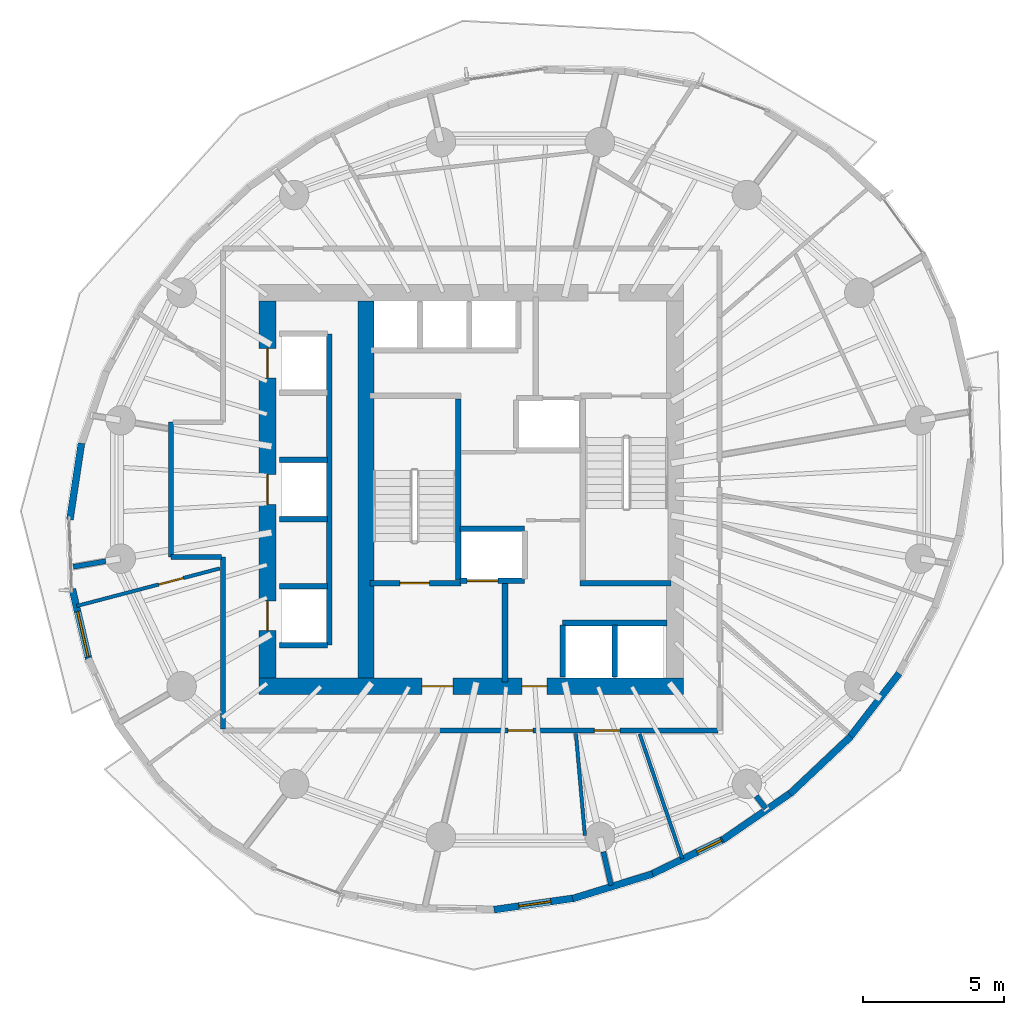
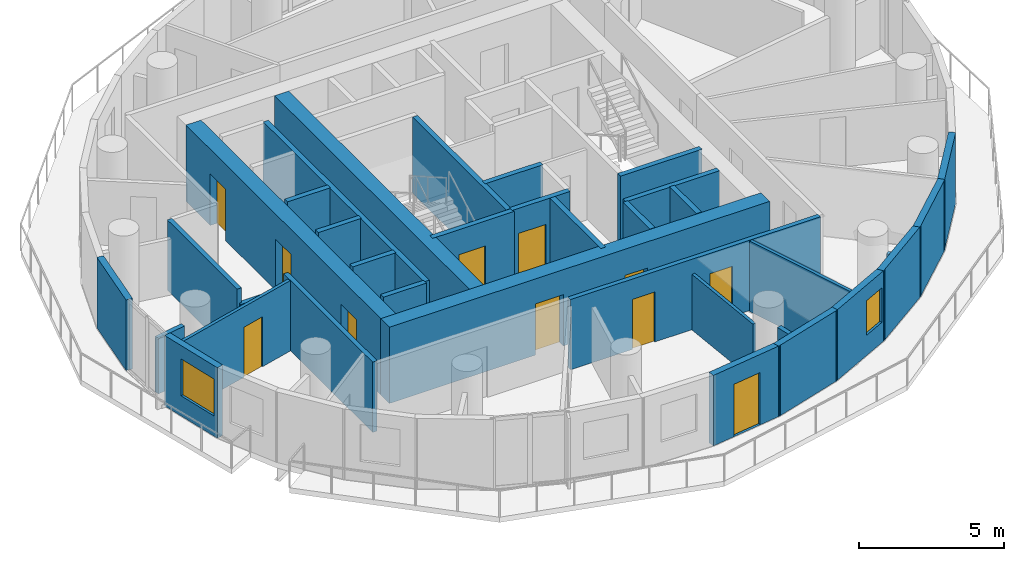
# One storey, part 6 of 14: 35 walls, 11 doors, 2 windows, 13 openings.
"""IFC4 building model written with IfcOpenShell, lengths in metres."""

from ifc_helpers import new_model, si_unit, direction, frame, frame_2d, origin, place, context, subcontext, project, spatial, rectangle, extrude, material, layer, layer_set, type_object, element, fill, save


model = new_model("IFC4")

# Units and contexts
model_context = context("Model", 3, precision=1e-05, world=origin(), true_north=direction((0.0, 1.0)))
body_context = subcontext(model_context, "Body", "Model", "MODEL_VIEW")
ifc_project = project(units=[si_unit("LENGTHUNIT", "METRE"), si_unit("AREAUNIT", "SQUARE_METRE"), si_unit("VOLUMEUNIT", "CUBIC_METRE"), si_unit("PLANEANGLEUNIT", "RADIAN"), si_unit("MASSUNIT", "GRAM", prefix="KILO")], contexts=[model_context])

# Site, building, storey
site_placement = place(None, origin())
site = spatial("IfcSite", under=ifc_project, at=site_placement, CompositionType="ELEMENT")
building_placement = place(site_placement, origin())
building = spatial("IfcBuilding", under=site, at=building_placement, Name="Veldorim Arch Residences", CompositionType="ELEMENT")
storey_placement = place(building_placement, frame((0.0, 0.0, 126.56005859375)))
storey = spatial("IfcBuildingStorey", under=building, at=storey_placement, Name="L37", CompositionType="ELEMENT", Elevation=126.56005859375)

# Walls
ifc_material_1 = material(Name="Acoustic Gypsum Board", Category="gypsum")
ifc_layer_1 = layer(ifc_material_1, 0.125, Name="Acoustic Stud Room Partition Wall 125")
ifc_layer_set_1 = layer_set([ifc_layer_1], Name="Acoustic Gypsum Board")
wall_type_1 = type_object("IfcWallType", Name="Acoustic Stud Room Partition Wall 125", PredefinedType="PARTITIONING", material=ifc_layer_set_1)
wall_1_placement = place(storey_placement, frame((37.760498046875, 10.858154296875, 0.0), z_axis=(0.0, 0.0, 1.0), x_axis=(-0.323447862149, 0.946245993635, 0.0)))
element("IfcWall", 1, at=wall_1_placement, inside=storey, type_object=wall_type_1, Name="L37 interior wall WL-RES-L37-015", PredefinedType="PARTITIONING", context=body_context, shape_type="SweptSolid", body=[
    extrude(rectangle(XDim=4.700927734375, YDim=0.125, at=frame_2d((2.3505859375, 0.0))), origin(), (0.0, 0.0, 1.0), 2.954833984375),
])
wall_2_placement = place(storey_placement, frame((34.293212890625, 11.68896484375, 0.0), z_axis=(0.0, 0.0, 1.0), x_axis=(-0.088065804539, 0.996114659098, 0.0)))
element("IfcWall", 2, at=wall_2_placement, inside=storey, type_object=wall_type_1, Name="L37 interior wall WL-RES-L37-016", PredefinedType="PARTITIONING", context=body_context, shape_type="SweptSolid", body=[
    extrude(rectangle(XDim=3.6455078125, YDim=0.125, at=frame_2d((1.82275390625, 0.0))), origin(), (0.0, 0.0, 1.0), 2.335693359375),
])

# Wall, opening, door
wall_3_placement = place(storey_placement, frame((16.20947265625, 19.85400390625, 0.0), z_axis=(0.0, 0.0, 1.0), x_axis=(0.967214885104, 0.253959378707, 0.0)))
wall_3 = element("IfcWall", 3, at=wall_3_placement, inside=storey, type_object=wall_type_1, Name="L37 interior wall WL-RES-L37-032", PredefinedType="PARTITIONING", context=body_context, shape_type="SweptSolid", body=[
    extrude(rectangle(XDim=5.26708984375, YDim=0.125, at=frame_2d((2.633544921875, 0.0))), origin(), (0.0, 0.0, 1.0), 2.954833984375),
])
opening_1_placement = place(wall_3_placement, frame((3.023681640625, 0.0, 0.0)))
opening_1 = element("IfcOpeningElement", 4, at=opening_1_placement, cuts=wall_3, Name="Opening DR-INT", PredefinedType="OPENING", context=body_context, shape_type="SweptSolid", body=[
    extrude(rectangle(XDim=0.89990234375, YDim=2.10009765625, at=frame_2d((0.449951171875, 1.050048828125))), frame((0.0, 0.072509765625, 0.0), z_axis=(0.0, -1.0, 0.0), x_axis=(1.0, 0.0, 0.0)), (0.0, 0.0, 1.0), 0.14501953125),
])
ifc_material_2 = material(Name="Engineered Timber", Category="wood")
door_type_1 = type_object("IfcDoorType", Name="Apartment Internal Room Timber Door 900x2100", OperationType="SINGLE_SWING_LEFT", PredefinedType="DOOR", material=ifc_material_2)
door_1_placement = place(opening_1_placement, origin())
door_1 = element("IfcDoor", 5, at=door_1_placement, inside=storey, type_object=door_type_1, Name="L37 interior door DR-RES-L37-019", OperationType="SINGLE_SWING_LEFT", OverallHeight=2.10009765625, OverallWidth=0.89990234375, PredefinedType="DOOR", context=body_context, shape_type="SweptSolid", body=[
    extrude(rectangle(XDim=0.89990234375, YDim=2.10009765625, at=frame_2d((0.449951171875, 1.050048828125))), frame((0.0, 0.02490234375, 0.0), z_axis=(0.0, -1.0, 0.0), x_axis=(1.0, 0.0, 0.0)), (0.0, 0.0, 1.0), 0.050048828125),
])
fill(opening_1, door_1)

# Walls
ifc_material_3 = material(Name="Lightweight Masonry Block & Gypsum", Category="masonry")
ifc_layer_2 = layer(ifc_material_3, 0.179931640625, Name="Compartment & Corridor Fire-Rated Party Wall 180")
ifc_layer_set_2 = layer_set([ifc_layer_2], Name="Lightweight Masonry Block & Gypsum")
wall_type_2 = type_object("IfcWallType", Name="Compartment & Corridor Fire-Rated Party Wall 180", PredefinedType="PARTITIONING", material=ifc_layer_set_2)
wall_4_placement = place(storey_placement, frame((17.24169921875, 21.44921875, 0.0), z_axis=(0.0, 0.0, 1.0), x_axis=(-0.98537549431, -0.170396992969, 0.0)))
element("IfcWall", 6, at=wall_4_placement, inside=storey, type_object=wall_type_2, Name="L37 interior wall WL-PIER-L37-09", PredefinedType="PARTITIONING", context=body_context, shape_type="SweptSolid", body=[
    extrude(rectangle(XDim=1.167724609375, YDim=0.179931640625, at=frame_2d((0.583984375, 0.0))), origin(), (0.0, 0.0, 1.0), 2.335693359375),
])
wall_5_placement = place(storey_placement, frame((34.950439453125, 11.11083984375, 0.0), z_axis=(0.0, 0.0, 1.0), x_axis=(0.223107064029, -0.974793946422, 0.0)))
element("IfcWall", 7, at=wall_5_placement, inside=storey, type_object=wall_type_2, Name="L37 interior wall WL-PIER-L37-13", PredefinedType="PARTITIONING", context=body_context, shape_type="SweptSolid", body=[
    extrude(rectangle(XDim=1.22119140625, YDim=0.179931640625, at=frame_2d((0.610595703125, 0.0))), origin(), (0.0, 0.0, 1.0), 2.335693359375),
])
wall_6_placement = place(storey_placement, frame((40.387939453125, 13.091552734375, 0.0), z_axis=(0.0, 0.0, 1.0), x_axis=(0.609498830183, -0.792786967605, 0.0)))
element("IfcWall", 8, at=wall_6_placement, inside=storey, type_object=wall_type_2, Name="L37 interior wall WL-PIER-L37-14", PredefinedType="PARTITIONING", context=body_context, shape_type="SweptSolid", body=[
    extrude(rectangle(XDim=0.556884765625, YDim=0.179931640625, at=frame_2d((0.2783203125, 0.0))), origin(), (0.0, 0.0, 1.0), 2.335693359375),
])

# Wall, openings, doors
wall_7_placement = place(storey_placement, frame((39.02001953125, 15.419921875, 0.0), z_axis=(0.0, 0.0, 1.0), x_axis=(-1.0, 0.0, 0.0)))
wall_7 = element("IfcWall", 9, at=wall_7_placement, inside=storey, type_object=wall_type_2, Name="L37 interior wall WL-RES-L37-002", PredefinedType="PARTITIONING", context=body_context, shape_type="SweptSolid", body=[
    extrude(rectangle(XDim=9.92236328125, YDim=0.179931640625, at=frame_2d((4.961181640625, 0.0))), origin(), (0.0, 0.0, 1.0), 2.954833984375),
])
opening_2_placement = place(wall_7_placement, frame((3.4873046875, 0.0, 0.0)))
opening_2 = element("IfcOpeningElement", 10, at=opening_2_placement, cuts=wall_7, Name="Opening DR-INT", PredefinedType="OPENING", context=body_context, shape_type="SweptSolid", body=[
    extrude(rectangle(XDim=0.89990234375, YDim=2.10009765625, at=frame_2d((0.449951171875, 1.050048828125))), frame((0.0, 0.099853515625, 0.0), z_axis=(0.0, -1.0, 0.0), x_axis=(1.0, 0.0, 0.0)), (0.0, 0.0, 1.0), 0.199951171875),
])
opening_3_placement = place(wall_7_placement, frame((6.570556640625, 0.0, 0.0)))
opening_3 = element("IfcOpeningElement", 11, at=opening_3_placement, cuts=wall_7, Name="Opening DR-INT", PredefinedType="OPENING", context=body_context, shape_type="SweptSolid", body=[
    extrude(rectangle(XDim=0.89990234375, YDim=2.10009765625, at=frame_2d((0.449951171875, 1.050048828125))), frame((0.0, 0.099853515625, 0.0), z_axis=(0.0, -1.0, 0.0), x_axis=(1.0, 0.0, 0.0)), (0.0, 0.0, 1.0), 0.199951171875),
])
door_2_placement = place(opening_2_placement, origin())
door_2 = element("IfcDoor", 12, at=door_2_placement, inside=storey, type_object=door_type_1, Name="L37 interior door DR-RES-L37-003", OperationType="SINGLE_SWING_LEFT", OverallHeight=2.10009765625, OverallWidth=0.89990234375, PredefinedType="DOOR", context=body_context, shape_type="SweptSolid", body=[
    extrude(rectangle(XDim=0.89990234375, YDim=2.10009765625, at=frame_2d((0.449951171875, 1.050048828125))), frame((0.0, 0.02490234375, 0.0), z_axis=(0.0, -1.0, 0.0), x_axis=(1.0, 0.0, 0.0)), (0.0, 0.0, 1.0), 0.050048828125),
])
fill(opening_2, door_2)
door_3_placement = place(opening_3_placement, origin())
door_3 = element("IfcDoor", 13, at=door_3_placement, inside=storey, type_object=door_type_1, Name="L37 interior door DR-RES-L37-004", OperationType="SINGLE_SWING_RIGHT", OverallHeight=2.10009765625, OverallWidth=0.89990234375, PredefinedType="DOOR", context=body_context, shape_type="SweptSolid", body=[
    extrude(rectangle(XDim=0.89990234375, YDim=2.10009765625, at=frame_2d((0.449951171875, 1.050048828125))), frame((0.0, 0.02490234375, 0.0), z_axis=(0.0, -1.0, 0.0), x_axis=(1.0, 0.0, 0.0)), (0.0, 0.0, 1.0), 0.050048828125),
])
fill(opening_3, door_3)

# Walls
wall_8_placement = place(storey_placement, frame((19.570068359375, 21.60009765625, 0.0), z_axis=(0.0, 0.0, 1.0), x_axis=(0.0, 1.0, 0.0)))
element("IfcWall", 14, at=wall_8_placement, inside=storey, type_object=wall_type_2, Name="L37 interior wall WL-RES-L37-008", PredefinedType="PARTITIONING", context=body_context, shape_type="SweptSolid", body=[
    extrude(rectangle(XDim=4.7998046875, YDim=0.179931640625, at=frame_2d((2.39990234375, 0.0))), origin(), (0.0, 0.0, 1.0), 2.954833984375),
])
wall_9_placement = place(storey_placement, frame((21.419921875, 15.47998046875, 0.0), z_axis=(0.0, 0.0, 1.0), x_axis=(0.0, 1.0, 0.0)))
element("IfcWall", 15, at=wall_9_placement, inside=storey, type_object=wall_type_2, Name="L37 interior wall WL-RES-L37-011", PredefinedType="PARTITIONING", context=body_context, shape_type="SweptSolid", body=[
    extrude(rectangle(XDim=6.1201171875, YDim=0.179931640625, at=frame_2d((3.06005859375, 0.0))), origin(), (0.0, 0.0, 1.0), 2.954833984375),
])
wall_10_placement = place(storey_placement, frame((21.360107421875, 21.60009765625, 0.0), z_axis=(0.0, 0.0, 1.0), x_axis=(-1.0, 0.0, 0.0)))
element("IfcWall", 16, at=wall_10_placement, inside=storey, type_object=wall_type_2, Name="L37 interior wall WL-RES-L37-012", PredefinedType="PARTITIONING", context=body_context, shape_type="SweptSolid", body=[
    extrude(rectangle(XDim=1.7900390625, YDim=0.179931640625, at=frame_2d((0.89501953125, 0.0))), origin(), (0.0, 0.0, 1.0), 2.335693359375),
])
ifc_material_4 = material(Name="Concrete C50/60", Category="concrete")
ifc_layer_3 = layer(ifc_material_4, 0.199951171875, Name="Core Stair & Lift Shaft Enclosure Wall 200")
ifc_layer_set_3 = layer_set([ifc_layer_3], Name="Concrete C50/60")
wall_type_3 = type_object("IfcWallType", Name="Core Stair & Lift Shaft Enclosure Wall 200", PredefinedType="SHEAR", material=ifc_layer_set_3)
wall_11_placement = place(storey_placement, frame((29.7900390625, 20.780029296875, 0.0), z_axis=(0.0, 0.0, 1.0), x_axis=(0.0, 1.0, 0.0)))
element("IfcWall", 17, at=wall_11_placement, inside=storey, type_object=wall_type_3, Name="L37 shaft wall WL-SHF-L37-ST1-E", PredefinedType="SHEAR", context=body_context, shape_type="SweptSolid", body=[
    extrude(rectangle(XDim=6.43994140625, YDim=0.199951171875, at=frame_2d((3.219970703125, 0.0))), origin(), (0.0, 0.0, 1.0), 3.199951171875),
])

# Wall, opening, door
wall_12_placement = place(storey_placement, frame((26.64990234375, 20.669921875, 0.0), z_axis=(0.0, 0.0, 1.0), x_axis=(1.0, 0.0, 0.0)))
wall_12 = element("IfcWall", 18, at=wall_12_placement, inside=storey, type_object=wall_type_3, Name="L37 shaft wall WL-SHF-L37-ST1-S", PredefinedType="SHEAR", context=body_context, shape_type="SweptSolid", body=[
    extrude(rectangle(XDim=3.239990234375, YDim=0.199951171875, at=frame_2d((1.6201171875, 0.0))), origin(), (0.0, 0.0, 1.0), 3.199951171875),
])
opening_4_placement = place(wall_12_placement, frame((1.054931640625, 0.0, 0.0)))
opening_4 = element("IfcOpeningElement", 19, at=opening_4_placement, cuts=wall_12, Name="Opening DR-ST", PredefinedType="OPENING", context=body_context, shape_type="SweptSolid", body=[
    extrude(rectangle(XDim=1.050048828125, YDim=2.14990234375, at=frame_2d((0.52490234375, 1.074951171875))), frame((0.0, 0.10986328125, 0.0), z_axis=(0.0, -1.0, 0.0), x_axis=(1.0, 0.0, 0.0)), (0.0, 0.0, 1.0), 0.219970703125),
])
ifc_material_5 = material(Name="Fire-Rated Steel", Category="steel")
door_type_2 = type_object("IfcDoorType", Name="Exit Staircase Self-Closing Fire Door 1050x2150", OperationType="SINGLE_SWING_LEFT", PredefinedType="DOOR", material=ifc_material_5)
door_4_placement = place(opening_4_placement, origin())
door_4 = element("IfcDoor", 20, at=door_4_placement, inside=storey, type_object=door_type_2, Name="L37 interior door DR-L37-ST1", OperationType="SINGLE_SWING_LEFT", OverallHeight=2.14990234375, OverallWidth=1.050048828125, PredefinedType="DOOR", context=body_context, shape_type="SweptSolid", body=[
    extrude(rectangle(XDim=1.050048828125, YDim=2.14990234375, at=frame_2d((0.52490234375, 1.074951171875))), frame((0.0, 0.02490234375, 0.0), z_axis=(0.0, -1.0, 0.0), x_axis=(1.0, 0.0, 0.0)), (0.0, 0.0, 1.0), 0.050048828125),
])
fill(opening_4, door_4)

# Walls
wall_13_placement = place(storey_placement, frame((34.110107421875, 20.669921875, 0.0), z_axis=(0.0, 0.0, 1.0), x_axis=(1.0, 0.0, 0.0)))
element("IfcWall", 21, at=wall_13_placement, inside=storey, type_object=wall_type_3, Name="L37 shaft wall WL-SHF-L37-ST2-S", PredefinedType="SHEAR", context=body_context, shape_type="SweptSolid", body=[
    extrude(rectangle(XDim=3.239990234375, YDim=0.199951171875, at=frame_2d((1.6201171875, 0.0))), origin(), (0.0, 0.0, 1.0), 3.199951171875),
])
wall_14_placement = place(storey_placement, frame((31.449951171875, 17.14990234375, 0.0), z_axis=(0.0, 0.0, 1.0), x_axis=(0.0, 1.0, 0.0)))
element("IfcWall", 22, at=wall_14_placement, inside=storey, type_object=wall_type_3, Name="L37 shaft wall WL-FFL1-L37-E", PredefinedType="SHEAR", context=body_context, shape_type="SweptSolid", body=[
    extrude(rectangle(XDim=3.5, YDim=0.199951171875, at=frame_2d((1.75, 0.0))), origin(), (0.0, 0.0, 1.0), 3.199951171875),
])

# Wall, opening, door
wall_15_placement = place(storey_placement, frame((29.85009765625, 20.75, 0.0), z_axis=(0.0, 0.0, 1.0), x_axis=(1.0, 0.0, 0.0)))
wall_15 = element("IfcWall", 23, at=wall_15_placement, inside=storey, type_object=wall_type_3, Name="L37 shaft wall WL-FL01-L37-S", PredefinedType="SHEAR", context=body_context, shape_type="SweptSolid", body=[
    extrude(rectangle(XDim=2.2998046875, YDim=0.199951171875, at=frame_2d((1.14990234375, 0.0))), origin(), (0.0, 0.0, 1.0), 3.199951171875),
])
opening_5_placement = place(wall_15_placement, frame((0.25, 0.0, 0.0)))
opening_5 = element("IfcOpeningElement", 24, at=opening_5_placement, cuts=wall_15, Name="Opening LD-FF", PredefinedType="OPENING", context=body_context, shape_type="SweptSolid", body=[
    extrude(rectangle(XDim=1.10009765625, YDim=2.14990234375, at=frame_2d((0.550048828125, 1.074951171875))), frame((0.0, 0.10986328125, 0.0), z_axis=(0.0, -1.0, 0.0), x_axis=(1.0, 0.0, 0.0)), (0.0, 0.0, 1.0), 0.219970703125),
])
ifc_material_6 = material(Name="Stainless Steel", Category="steel")
door_type_3 = type_object("IfcDoorType", Name="Firefighting Lift Bi-Parting Sliding Landing Door 1100x2150", OperationType="DOUBLE_DOOR_SLIDING", PredefinedType="DOOR", material=ifc_material_6)
door_5_placement = place(opening_5_placement, origin())
door_5 = element("IfcDoor", 25, at=door_5_placement, inside=storey, type_object=door_type_3, Name="L37 lift landing door LD-L37-FL01", OperationType="DOUBLE_DOOR_SLIDING", OverallHeight=2.14990234375, OverallWidth=1.10009765625, PredefinedType="DOOR", context=body_context, shape_type="SweptSolid", body=[
    extrude(rectangle(XDim=1.10009765625, YDim=2.14990234375, at=frame_2d((0.550048828125, 1.074951171875))), frame((0.0, 0.02490234375, 0.0), z_axis=(0.0, -1.0, 0.0), x_axis=(1.0, 0.0, 0.0)), (0.0, 0.0, 1.0), 0.050048828125),
])
fill(opening_5, door_5)

# Walls
wall_16_placement = place(storey_placement, frame((29.85009765625, 22.60009765625, 0.0), z_axis=(0.0, 0.0, 1.0), x_axis=(1.0, 0.0, 0.0)))
element("IfcWall", 26, at=wall_16_placement, inside=storey, type_object=wall_type_3, Name="L37 shaft wall WL-FL01-L37-N", PredefinedType="SHEAR", context=body_context, shape_type="SweptSolid", body=[
    extrude(rectangle(XDim=2.2998046875, YDim=0.199951171875, at=frame_2d((1.14990234375, 0.0))), origin(), (0.0, 0.0, 1.0), 3.199951171875),
])
wall_17_placement = place(storey_placement, frame((25.199951171875, 18.4599609375, 0.0), z_axis=(0.0, 0.0, 1.0), x_axis=(0.0, 1.0, 0.0)))
element("IfcWall", 27, at=wall_17_placement, inside=storey, type_object=wall_type_3, Name="L37 shaft wall WL-B2-L37-E", PredefinedType="SHEAR", context=body_context, shape_type="SweptSolid", body=[
    extrude(rectangle(XDim=11.080078125, YDim=0.199951171875, at=frame_2d((5.5400390625, 0.0))), origin(), (0.0, 0.0, 1.0), 3.199951171875),
])
for number, where, z_axis, x_axis, name in (
    (28, (23.419921875, 18.4599609375, 0.0), (0.0, 0.0, 1.0), (1.0, 0.0, 0.0), "L37 shaft wall WL-B2-L37-S"),
    (29, (23.419921875, 20.56005859375, 0.0), (0.0, 0.0, 1.0), (1.0, 0.0, 0.0), "L37 shaft wall WL-B2-L37-D1A"),
    (30, (23.419921875, 22.93994140625, 0.0), (0.0, 0.0, 1.0), (1.0, 0.0, 0.0), "L37 shaft wall WL-B2-L37-D1B"),
    (31, (23.419921875, 25.06005859375, 0.0), (0.0, 0.0, 1.0), (1.0, 0.0, 0.0), "L37 shaft wall WL-B2-L37-D2A"),
):
    element("IfcWall", number, at=place(storey_placement, frame(where, z_axis=z_axis, x_axis=x_axis)), inside=storey, type_object=wall_type_3, Name=name, PredefinedType="SHEAR", context=body_context, shape_type="SweptSolid", body=[
        extrude(rectangle(XDim=1.7099609375, YDim=0.199951171875, at=frame_2d((0.85498046875, 0.0))), origin(), (0.0, 0.0, 1.0), 3.199951171875),
    ])
wall_18_placement = place(storey_placement, frame((33.5, 19.25, 0.0), z_axis=(0.0, 0.0, 1.0), x_axis=(1.0, 0.0, 0.0)))
element("IfcWall", 32, at=wall_18_placement, inside=storey, type_object=wall_type_3, Name="L37 shaft wall WL-OL-L37-N", PredefinedType="SHEAR", context=body_context, shape_type="SweptSolid", body=[
    extrude(rectangle(XDim=3.719970703125, YDim=0.199951171875, at=frame_2d((1.85986328125, 0.0))), origin(), (0.0, 0.0, 1.0), 3.199951171875),
])
for number, where, z_axis, x_axis, name in (
    (33, (33.5, 17.320068359375, 0.0), (0.0, 0.0, 1.0), (0.0, 1.0, 0.0), "L37 shaft wall WL-OL-L37-W"),
    (34, (35.35009765625, 17.320068359375, 0.0), (0.0, 0.0, 1.0), (0.0, 1.0, 0.0), "L37 shaft wall WL-OL-L37-D1"),
):
    element("IfcWall", number, at=place(storey_placement, frame(where, z_axis=z_axis, x_axis=x_axis)), inside=storey, type_object=wall_type_3, Name=name, PredefinedType="SHEAR", context=body_context, shape_type="SweptSolid", body=[
        extrude(rectangle(XDim=1.85986328125, YDim=0.199951171875, at=frame_2d((0.929931640625, 0.0))), origin(), (0.0, 0.0, 1.0), 3.199951171875),
    ])

# Wall, openings, doors
ifc_material_7 = material(Name="Concrete C50/60", Category="concrete")
ifc_layer_4 = layer(ifc_material_7, 0.60009765625, Name="Mid-Upper Central Core Shear Wall 600")
ifc_layer_set_4 = layer_set([ifc_layer_4], Name="Concrete C50/60")
wall_type_4 = type_object("IfcWallType", Name="Mid-Upper Central Core Shear Wall 600", PredefinedType="SHEAR", material=ifc_layer_set_4)
wall_19_placement = place(storey_placement, frame((22.699951171875, 17.0, 0.0), z_axis=(0.0, 0.0, 1.0), x_axis=(1.0, 0.0, 0.0)))
wall_19 = element("IfcWall", 35, at=wall_19_placement, inside=storey, type_object=wall_type_4, Name="L37 central core south shear wall", PredefinedType="SHEAR", context=body_context, shape_type="SweptSolid", body=[
    extrude(rectangle(XDim=15.10009765625, YDim=0.60009765625, at=frame_2d((7.550048828125, 0.0))), origin(), (0.0, 0.0, 1.0), 3.199951171875),
])
opening_6_placement = place(wall_19_placement, frame((5.800048828125, 0.0, 0.0)))
opening_6 = element("IfcOpeningElement", 36, at=opening_6_placement, cuts=wall_19, Name="Opening DR-FFL", PredefinedType="OPENING", context=body_context, shape_type="SweptSolid", body=[
    extrude(rectangle(XDim=1.10009765625, YDim=2.14990234375, at=frame_2d((0.550048828125, 1.074951171875))), frame((0.0, 0.31005859375, 0.0), z_axis=(0.0, -1.0, 0.0), x_axis=(1.0, 0.0, 0.0)), (0.0, 0.0, 1.0), 0.6201171875),
])
opening_7_placement = place(wall_19_placement, frame((9.35009765625, 0.0, 0.0)))
opening_7 = element("IfcOpeningElement", 37, at=opening_7_placement, cuts=wall_19, Name="Opening DR-SVC", PredefinedType="OPENING", context=body_context, shape_type="SweptSolid", body=[
    extrude(rectangle(XDim=0.89990234375, YDim=2.10009765625, at=frame_2d((0.449951171875, 1.050048828125))), frame((0.0, 0.31005859375, 0.0), z_axis=(0.0, -1.0, 0.0), x_axis=(1.0, 0.0, 0.0)), (0.0, 0.0, 1.0), 0.6201171875),
])
ifc_material_8 = material(Name="Fire-Rated Steel & Vision Glass", Category="steel")
door_type_4 = type_object("IfcDoorType", Name="Firefighting Lobby Smoke-Stop Fire Door 1100x2150", OperationType="SINGLE_SWING_LEFT", PredefinedType="DOOR", material=ifc_material_8)
door_6_placement = place(opening_6_placement, origin())
door_6 = element("IfcDoor", 38, at=door_6_placement, inside=storey, type_object=door_type_4, Name="L37 interior door DR-L37-FFL1", OperationType="SINGLE_SWING_RIGHT", OverallHeight=2.14990234375, OverallWidth=1.10009765625, PredefinedType="DOOR", context=body_context, shape_type="SweptSolid", body=[
    extrude(rectangle(XDim=1.10009765625, YDim=2.14990234375, at=frame_2d((0.550048828125, 1.074951171875))), frame((0.0, 0.02490234375, 0.0), z_axis=(0.0, -1.0, 0.0), x_axis=(1.0, 0.0, 0.0)), (0.0, 0.0, 1.0), 0.050048828125),
])
fill(opening_6, door_6)
ifc_material_9 = material(Name="Fire-Rated Steel", Category="steel")
door_type_5 = type_object("IfcDoorType", Name="Riser, Shelter & Plant Room Rated Steel Door 900x2100", OperationType="SINGLE_SWING_LEFT", PredefinedType="DOOR", material=ifc_material_9)
door_7_placement = place(opening_7_placement, origin())
door_7 = element("IfcDoor", 39, at=door_7_placement, inside=storey, type_object=door_type_5, Name="L37 interior door DR-L37-COR-ANC", OperationType="SINGLE_SWING_LEFT", OverallHeight=2.10009765625, OverallWidth=0.89990234375, PredefinedType="DOOR", context=body_context, shape_type="SweptSolid", body=[
    extrude(rectangle(XDim=0.89990234375, YDim=2.10009765625, at=frame_2d((0.449951171875, 1.050048828125))), frame((0.0, 0.02490234375, 0.0), z_axis=(0.0, -1.0, 0.0), x_axis=(1.0, 0.0, 0.0)), (0.0, 0.0, 1.0), 0.050048828125),
])
fill(opening_7, door_7)

wall_20_placement = place(storey_placement, frame((23.0, 17.300048828125, 0.0), z_axis=(0.0, 0.0, 1.0), x_axis=(0.0, 1.0, 0.0)))
wall_20 = element("IfcWall", 40, at=wall_20_placement, inside=storey, type_object=wall_type_4, Name="L37 central core west shear wall", PredefinedType="SHEAR", context=body_context, shape_type="SweptSolid", body=[
    extrude(rectangle(XDim=13.39990234375, YDim=0.60009765625, at=frame_2d((6.699951171875, 0.0))), origin(), (0.0, 0.0, 1.0), 3.199951171875),
])
opening_8_placement = place(wall_20_placement, frame((1.675048828125, 0.0, 0.0)))
opening_8 = element("IfcOpeningElement", 41, at=opening_8_placement, cuts=wall_20, Name="Opening LD-PS", PredefinedType="OPENING", context=body_context, shape_type="SweptSolid", body=[
    extrude(rectangle(XDim=1.050048828125, YDim=2.14990234375, at=frame_2d((0.52490234375, 1.074951171875))), frame((0.0, 0.31005859375, 0.0), z_axis=(0.0, -1.0, 0.0), x_axis=(1.0, 0.0, 0.0)), (0.0, 0.0, 1.0), 0.6201171875),
])
opening_9_placement = place(wall_20_placement, frame((6.175048828125, 0.0, 0.0)))
opening_9 = element("IfcOpeningElement", 42, at=opening_9_placement, cuts=wall_20, Name="Opening LD-PS", PredefinedType="OPENING", context=body_context, shape_type="SweptSolid", body=[
    extrude(rectangle(XDim=1.050048828125, YDim=2.14990234375, at=frame_2d((0.52490234375, 1.074951171875))), frame((0.0, 0.31005859375, 0.0), z_axis=(0.0, -1.0, 0.0), x_axis=(1.0, 0.0, 0.0)), (0.0, 0.0, 1.0), 0.6201171875),
])
opening_10_placement = place(wall_20_placement, frame((10.675048828125, 0.0, 0.0)))
opening_10 = element("IfcOpeningElement", 43, at=opening_10_placement, cuts=wall_20, Name="Opening LD-PS", PredefinedType="OPENING", context=body_context, shape_type="SweptSolid", body=[
    extrude(rectangle(XDim=1.050048828125, YDim=2.14990234375, at=frame_2d((0.52490234375, 1.074951171875))), frame((0.0, 0.31005859375, 0.0), z_axis=(0.0, -1.0, 0.0), x_axis=(1.0, 0.0, 0.0)), (0.0, 0.0, 1.0), 0.6201171875),
])
ifc_material_10 = material(Name="Stainless Steel", Category="steel")
door_type_6 = type_object("IfcDoorType", Name="Passenger Lift Bi-Parting Sliding Landing Door 1050x2150", OperationType="DOUBLE_DOOR_SLIDING", PredefinedType="DOOR", material=ifc_material_10)
door_8_placement = place(opening_8_placement, origin())
door_8 = element("IfcDoor", 44, at=door_8_placement, inside=storey, type_object=door_type_6, Name="L37 lift landing door LD-L37-PL-05", OperationType="DOUBLE_DOOR_SLIDING", OverallHeight=2.14990234375, OverallWidth=1.050048828125, PredefinedType="DOOR", context=body_context, shape_type="SweptSolid", body=[
    extrude(rectangle(XDim=1.050048828125, YDim=2.14990234375, at=frame_2d((0.52490234375, 1.074951171875))), frame((0.0, 0.02490234375, 0.0), z_axis=(0.0, -1.0, 0.0), x_axis=(1.0, 0.0, 0.0)), (0.0, 0.0, 1.0), 0.050048828125),
])
fill(opening_8, door_8)
door_9_placement = place(opening_9_placement, origin())
door_9 = element("IfcDoor", 45, at=door_9_placement, inside=storey, type_object=door_type_6, Name="L37 lift landing door LD-L37-PL-06", OperationType="DOUBLE_DOOR_SLIDING", OverallHeight=2.14990234375, OverallWidth=1.050048828125, PredefinedType="DOOR", context=body_context, shape_type="SweptSolid", body=[
    extrude(rectangle(XDim=1.050048828125, YDim=2.14990234375, at=frame_2d((0.52490234375, 1.074951171875))), frame((0.0, 0.02490234375, 0.0), z_axis=(0.0, -1.0, 0.0), x_axis=(1.0, 0.0, 0.0)), (0.0, 0.0, 1.0), 0.050048828125),
])
fill(opening_9, door_9)
door_10_placement = place(opening_10_placement, origin())
door_10 = element("IfcDoor", 46, at=door_10_placement, inside=storey, type_object=door_type_6, Name="L37 lift landing door LD-L37-PL-07", OperationType="DOUBLE_DOOR_SLIDING", OverallHeight=2.14990234375, OverallWidth=1.050048828125, PredefinedType="DOOR", context=body_context, shape_type="SweptSolid", body=[
    extrude(rectangle(XDim=1.050048828125, YDim=2.14990234375, at=frame_2d((0.52490234375, 1.074951171875))), frame((0.0, 0.02490234375, 0.0), z_axis=(0.0, -1.0, 0.0), x_axis=(1.0, 0.0, 0.0)), (0.0, 0.0, 1.0), 0.050048828125),
])
fill(opening_10, door_10)

# Wall
ifc_material_11 = material(Name="Precast concrete C40/50", Category="concrete")
ifc_layer_5 = layer(ifc_material_11, 0.25, Name="Tower Terracotta Spandrel & Pier Wall 250")
ifc_layer_set_5 = layer_set([ifc_layer_5], Name="Precast concrete C40/50")
wall_type_5 = type_object("IfcWallType", Name="Tower Terracotta Spandrel & Pier Wall 250", PredefinedType="SOLIDWALL", material=ifc_layer_set_5)
wall_21_placement = place(storey_placement, frame((15.966064453125, 22.92529296875, 0.0), z_axis=(0.0, 0.0, 1.0), x_axis=(0.149576734229, 0.988750120393, 0.0)))
element("IfcWall", 47, at=wall_21_placement, inside=storey, type_object=wall_type_5, Name="L37 terracotta facade wall 15", PredefinedType="SOLIDWALL", context=body_context, shape_type="SweptSolid", body=[
    extrude(rectangle(XDim=2.751953125, YDim=0.25, at=frame_2d((1.3759765625, 0.0))), origin(), (0.0, 0.0, 1.0), 2.9599609375),
])

# Wall, opening, window
wall_22_placement = place(storey_placement, frame((16.65380859375, 17.8798828125, 0.0), z_axis=(0.0, 0.0, 1.0), x_axis=(-0.226865331245, 0.973926137589, 0.0)))
wall_22 = element("IfcWall", 48, at=wall_22_placement, inside=storey, type_object=wall_type_5, Name="L37 terracotta facade wall 17", PredefinedType="SOLIDWALL", context=body_context, shape_type="SweptSolid", body=[
    extrude(rectangle(XDim=2.6484375, YDim=0.25, at=frame_2d((1.32421875, 0.0))), origin(), (0.0, 0.0, 1.0), 2.9599609375),
])
opening_11_placement = place(wall_22_placement, frame((0.175048828125, 0.0, 0.85009765625)))
opening_11 = element("IfcOpeningElement", 49, at=opening_11_placement, cuts=wall_22, Name="Opening WN-03", PredefinedType="OPENING", context=body_context, shape_type="SweptSolid", body=[
    extrude(rectangle(XDim=1.64990234375, YDim=1.550048828125, at=frame_2d((0.824951171875, 0.77490234375))), frame((0.0, 0.135009765625, 0.0), z_axis=(0.0, -1.0, 0.0), x_axis=(1.0, 0.0, 0.0)), (0.0, 0.0, 1.0), 0.27001953125),
])
ifc_material_12 = material(Name="Laminated Low-E Glass", Category="glass")
window_type_1 = type_object("IfcWindowType", Name="Residential Wide Window 1650x1550", PartitioningType="SINGLE_PANEL", PredefinedType="WINDOW", material=ifc_material_12)
window_1_placement = place(opening_11_placement, origin())
window_1 = element("IfcWindow", 50, at=window_1_placement, inside=storey, type_object=window_type_1, Name="L37 solar-control facade window 17", OverallHeight=1.550048828125, OverallWidth=1.64990234375, PartitioningType="SINGLE_PANEL", PredefinedType="WINDOW", context=body_context, shape_type="SweptSolid", body=[
    extrude(rectangle(XDim=1.64990234375, YDim=1.550048828125, at=frame_2d((0.824951171875, 0.77490234375))), frame((0.0, 0.030029296875, 0.0), z_axis=(0.0, -1.0, 0.0), x_axis=(1.0, 0.0, 0.0)), (0.0, 0.0, 1.0), 0.06005859375),
])
fill(opening_11, window_1)

# Wall, opening, door
wall_23_placement = place(storey_placement, frame((33.9638671875, 9.4658203125, 0.0), z_axis=(0.0, 0.0, 1.0), x_axis=(-0.989856170947, -0.142073082737, 0.0)))
wall_23 = element("IfcWall", 51, at=wall_23_placement, inside=storey, type_object=wall_type_5, Name="L37 terracotta facade wall 25", PredefinedType="SOLIDWALL", context=body_context, shape_type="SweptSolid", body=[
    extrude(rectangle(XDim=2.936767578125, YDim=0.25, at=frame_2d((1.46826171875, 0.0))), origin(), (0.0, 0.0, 1.0), 2.9599609375),
])
opening_12_placement = place(wall_23_placement, frame((0.89306640625, 0.0, 0.0)))
opening_12 = element("IfcOpeningElement", 52, at=opening_12_placement, cuts=wall_23, Name="Opening BL-DR", PredefinedType="OPENING", context=body_context, shape_type="SweptSolid", body=[
    extrude(rectangle(XDim=1.14990234375, YDim=2.199951171875, at=frame_2d((0.574951171875, 1.10009765625))), frame((0.0, 0.135009765625, 0.0), z_axis=(0.0, -1.0, 0.0), x_axis=(1.0, 0.0, 0.0)), (0.0, 0.0, 1.0), 0.27001953125),
])
ifc_material_13 = material(Name="Aluminium & Low-E Glass", Category="aluminium")
door_type_7 = type_object("IfcDoorType", Name="Glazed Planted Balcony Door 1150x2200", OperationType="SINGLE_SWING_LEFT", PredefinedType="DOOR", material=ifc_material_13)
door_11_placement = place(opening_12_placement, origin())
door_11 = element("IfcDoor", 53, at=door_11_placement, inside=storey, type_object=door_type_7, Name="L37 glazed outdoor terrace door BALC-2", OperationType="SINGLE_SWING_LEFT", OverallHeight=2.199951171875, OverallWidth=1.14990234375, PredefinedType="DOOR", context=body_context, shape_type="SweptSolid", body=[
    extrude(rectangle(XDim=1.14990234375, YDim=2.199951171875, at=frame_2d((0.574951171875, 1.10009765625))), frame((0.0, 0.02490234375, 0.0), z_axis=(0.0, -1.0, 0.0), x_axis=(1.0, 0.0, 0.0)), (0.0, 0.0, 1.0), 0.050048828125),
])
fill(opening_12, door_11)

# Wall
wall_24_placement = place(storey_placement, frame((36.702392578125, 10.318603515625, 0.0), z_axis=(0.0, 0.0, 1.0), x_axis=(-0.955653025963, -0.294494981227, 0.0)))
element("IfcWall", 54, at=wall_24_placement, inside=storey, type_object=wall_type_5, Name="L37 terracotta facade wall 26", PredefinedType="SOLIDWALL", context=body_context, shape_type="SweptSolid", body=[
    extrude(rectangle(XDim=2.97705078125, YDim=0.25, at=frame_2d((1.488525390625, 0.0))), origin(), (0.0, 0.0, 1.0), 2.9599609375),
])

# Wall, opening, window
wall_25_placement = place(storey_placement, frame((39.298583984375, 11.587890625, 0.0), z_axis=(0.0, 0.0, 1.0), x_axis=(-0.899657133161, -0.436597117206, 0.0)))
wall_25 = element("IfcWall", 55, at=wall_25_placement, inside=storey, type_object=wall_type_5, Name="L37 terracotta facade wall 27", PredefinedType="SOLIDWALL", context=body_context, shape_type="SweptSolid", body=[
    extrude(rectangle(XDim=2.998291015625, YDim=0.25, at=frame_2d((1.4990234375, 0.0))), origin(), (0.0, 0.0, 1.0), 2.9599609375),
])
opening_13_placement = place(wall_25_placement, frame((0.175048828125, 0.0, 0.85009765625)))
opening_13 = element("IfcOpeningElement", 56, at=opening_13_placement, cuts=wall_25, Name="Opening WN-05", PredefinedType="OPENING", context=body_context, shape_type="SweptSolid", body=[
    extrude(rectangle(XDim=0.949951171875, YDim=1.449951171875, at=frame_2d((0.47509765625, 0.72509765625))), frame((0.0, 0.135009765625, 0.0), z_axis=(0.0, -1.0, 0.0), x_axis=(1.0, 0.0, 0.0)), (0.0, 0.0, 1.0), 0.27001953125),
])
ifc_material_14 = material(Name="Laminated Low-E Glass", Category="glass")
window_type_2 = type_object("IfcWindowType", Name="Residential Compact Casement Window 950x1450", PartitioningType="SINGLE_PANEL", PredefinedType="WINDOW", material=ifc_material_14)
window_2_placement = place(opening_13_placement, origin())
window_2 = element("IfcWindow", 57, at=window_2_placement, inside=storey, type_object=window_type_2, Name="L37 solar-control facade window 27", OverallHeight=1.449951171875, OverallWidth=0.949951171875, PartitioningType="SINGLE_PANEL", PredefinedType="WINDOW", context=body_context, shape_type="SweptSolid", body=[
    extrude(rectangle(XDim=0.949951171875, YDim=1.449951171875, at=frame_2d((0.47509765625, 0.72509765625))), frame((0.0, 0.030029296875, 0.0), z_axis=(0.0, -1.0, 0.0), x_axis=(1.0, 0.0, 0.0)), (0.0, 0.0, 1.0), 0.06005859375),
])
fill(opening_13, window_2)

# Walls
wall_26_placement = place(storey_placement, frame((41.6728515625, 13.2353515625, 0.0), z_axis=(0.0, 0.0, 1.0), x_axis=(-0.823228532994, -0.567710121863, 0.0)))
element("IfcWall", 58, at=wall_26_placement, inside=storey, type_object=wall_type_5, Name="L37 terracotta facade wall 28", PredefinedType="SOLIDWALL", context=body_context, shape_type="SweptSolid", body=[
    extrude(rectangle(XDim=2.998291015625, YDim=0.25, at=frame_2d((1.4990234375, 0.0))), origin(), (0.0, 0.0, 1.0), 2.9599609375),
])
wall_27_placement = place(storey_placement, frame((43.7529296875, 15.210693359375, 0.0), z_axis=(0.0, 0.0, 1.0), x_axis=(-0.727113217486, -0.686517566386, 0.0)))
element("IfcWall", 59, at=wall_27_placement, inside=storey, type_object=wall_type_5, Name="L37 terracotta facade wall 29", PredefinedType="SOLIDWALL", context=body_context, shape_type="SweptSolid", body=[
    extrude(rectangle(XDim=2.976806640625, YDim=0.25, at=frame_2d((1.48828125, 0.0))), origin(), (0.0, 0.0, 1.0), 2.9599609375),
])
wall_28_placement = place(storey_placement, frame((45.475341796875, 17.45361328125, 0.0), z_axis=(0.0, 0.0, 1.0), x_axis=(-0.611416743811, -0.791308767415, 0.0)))
element("IfcWall", 60, at=wall_28_placement, inside=storey, type_object=wall_type_5, Name="L37 terracotta facade wall 30", PredefinedType="SOLIDWALL", context=body_context, shape_type="SweptSolid", body=[
    extrude(rectangle(XDim=2.936767578125, YDim=0.25, at=frame_2d((1.46826171875, 0.0))), origin(), (0.0, 0.0, 1.0), 2.9599609375),
])
ifc_material_15 = material(Name="Concrete C50/60", Category="concrete")
ifc_layer_6 = layer(ifc_material_15, 0.56005859375, Name="Upper Internal Core Shear Web Wall 560")
ifc_layer_set_6 = layer_set([ifc_layer_6], Name="Concrete C50/60")
wall_type_6 = type_object("IfcWallType", Name="Upper Internal Core Shear Web Wall 560", PredefinedType="SHEAR", material=ifc_layer_set_6)
wall_29_placement = place(storey_placement, frame((26.5, 17.300048828125, 0.0), z_axis=(0.0, 0.0, 1.0), x_axis=(0.0, 1.0, 0.0)))
element("IfcWall", 61, at=wall_29_placement, inside=storey, type_object=wall_type_6, Name="L37 core west internal shear web", PredefinedType="SHEAR", context=body_context, shape_type="SweptSolid", body=[
    extrude(rectangle(XDim=13.39990234375, YDim=0.56005859375, at=frame_2d((6.699951171875, 0.0))), origin(), (0.0, 0.0, 1.0), 3.199951171875),
])

save(model, "model.ifc")
